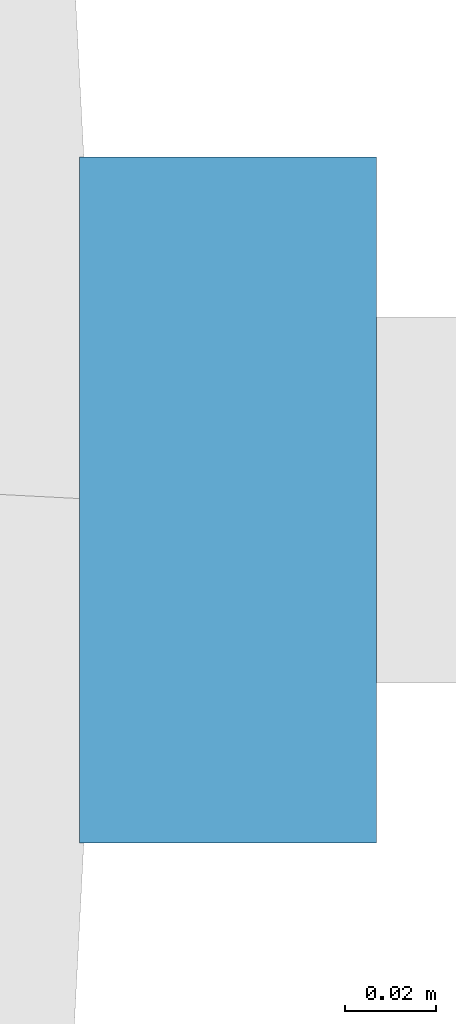
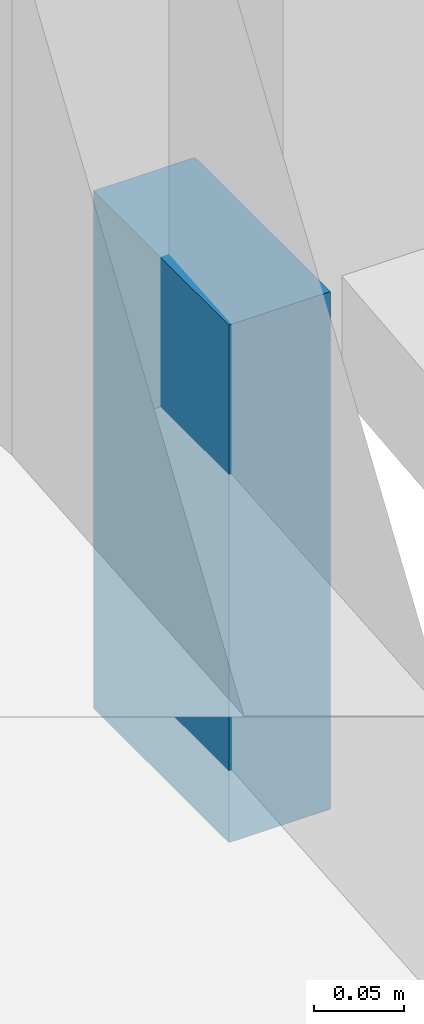
# One storey, part 16 of 19: 1 discrete accessory.
"""IFC4 building model written with IfcOpenShell, lengths in metres."""

from ifc_helpers import new_model, si_unit, direction, frame, origin, origin_2d, place, context, subcontext, project, spatial, rectangle, extrude, material, type_object, element, save


model = new_model("IFC4")

# Units and contexts
model_context = context("Model", 3, precision=1e-05, world=origin(), true_north=direction((0.0, 1.0)))
body_context = subcontext(model_context, "Body", "Model", "MODEL_VIEW")
ifc_project = project(units=[si_unit("LENGTHUNIT", "METRE"), si_unit("AREAUNIT", "SQUARE_METRE"), si_unit("VOLUMEUNIT", "CUBIC_METRE"), si_unit("PLANEANGLEUNIT", "RADIAN"), si_unit("MASSUNIT", "GRAM", prefix="KILO")], contexts=[model_context])

# Site, building, storey
site_placement = place(None, origin())
site = spatial("IfcSite", under=ifc_project, at=site_placement, CompositionType="ELEMENT")
building_placement = place(site_placement, origin())
building = spatial("IfcBuilding", under=site, at=building_placement, Name="Ghaith Harvest Tower", CompositionType="ELEMENT")
storey_placement = place(building_placement, frame((0.0, 0.0, 75.0)))
storey = spatial("IfcBuildingStorey", under=building, at=storey_placement, Name="L15", CompositionType="ELEMENT", Elevation=75.0)

# Discrete accessory
ifc_material = material(Name="Stainless steel grade 1.4401", Category="steel")
discrete_accessory_type = type_object("IfcDiscreteAccessoryType", Name="CURTAIN WALL BRACKET 65", PredefinedType="BRACKET", material=ifc_material)
discrete_accessory_placement = place(storey_placement, frame((34.152587890625, 0.0, -0.25), z_axis=(0.0, 0.0, 1.0), x_axis=(1.0, 0.0, 0.0)))
element("IfcDiscreteAccessory", 1, at=discrete_accessory_placement, inside=storey, type_object=discrete_accessory_type, Name="CW-F bracket 1 bay 01 L15", PredefinedType="BRACKET", context=body_context, shape_type="SweptSolid", body=[
    extrude(rectangle(XDim=0.06494140625, YDim=0.14990234375, at=origin_2d()), origin(), (0.0, 0.0, 1.0), 0.35009765625),
])

save(model, "model.ifc")
